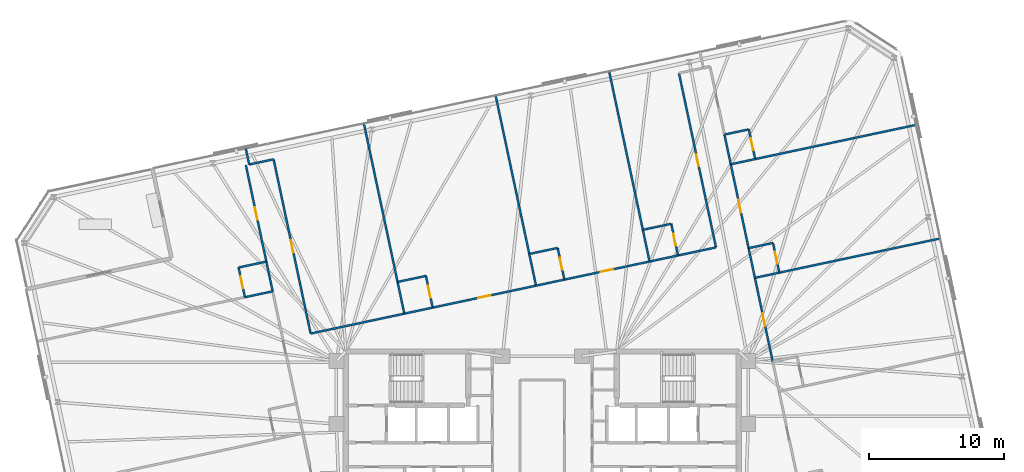
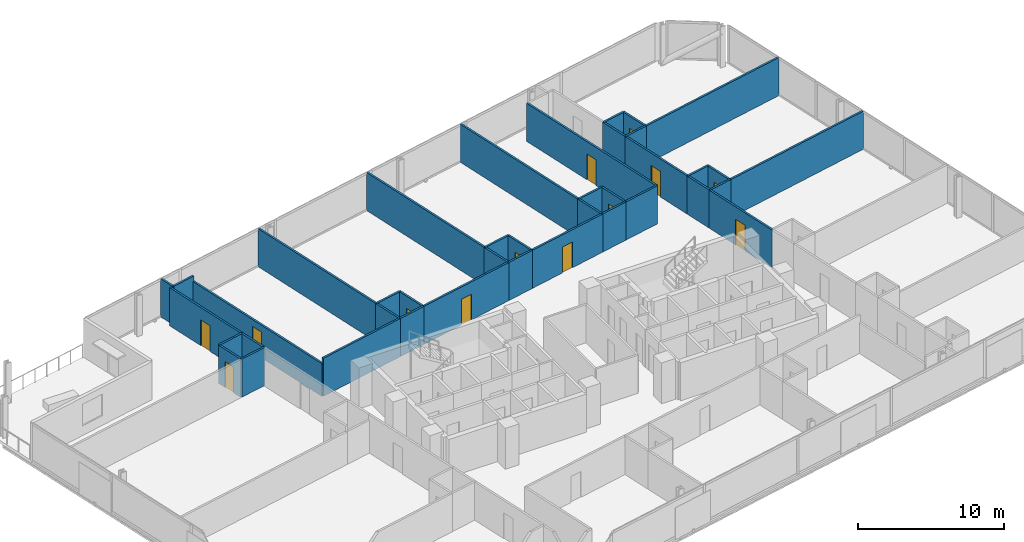
# One storey, part 17 of 20: 40 walls, 13 doors, 13 openings.
"""IFC4 building model written with IfcOpenShell, lengths in metres."""

from ifc_helpers import new_model, si_unit, direction, frame, frame_2d, origin, place, context, subcontext, project, spatial, rectangle, extrude, material, layer, layer_set, type_object, element, fill, save


model = new_model("IFC4")

# Units and contexts
model_context = context("Model", 3, precision=1e-05, world=origin(), true_north=direction((0.0, 1.0)))
body_context = subcontext(model_context, "Body", "Model", "MODEL_VIEW")
ifc_project = project(units=[si_unit("LENGTHUNIT", "METRE"), si_unit("AREAUNIT", "SQUARE_METRE"), si_unit("VOLUMEUNIT", "CUBIC_METRE"), si_unit("PLANEANGLEUNIT", "RADIAN"), si_unit("MASSUNIT", "GRAM", prefix="KILO")], contexts=[model_context])

# Site, building, storey
site_placement = place(None, origin())
site = spatial("IfcSite", under=ifc_project, at=site_placement, CompositionType="ELEMENT")
building_placement = place(site_placement, origin())
building = spatial("IfcBuilding", under=site, at=building_placement, Name="Menara Jurai Vektor", CompositionType="ELEMENT")
storey_placement = place(building_placement, frame((0.0, 0.0, 175.199951171875)))
storey = spatial("IfcBuildingStorey", under=building, at=storey_placement, Name="L45", CompositionType="ELEMENT", Elevation=175.199951171875)

# Walls
ifc_material_1 = material(Name="Gypsum Fireboard Partition", Category="gypsum")
ifc_layer_1 = layer(ifc_material_1, 0.14990234375)
ifc_layer_set_1 = layer_set([ifc_layer_1], Name="Gypsum Fireboard Partition")
wall_type_1 = type_object("IfcWallType", Name="INT-WALL-CORR-150", PredefinedType="PARTITIONING", material=ifc_layer_set_1)
wall_1_placement = place(storey_placement, frame((-21.71533203125, 19.447998046875, 0.0), z_axis=(0.0, 0.0, 1.0), x_axis=(0.978160192495, 0.207852442415, 0.0)))
element("IfcWall", 1, at=wall_1_placement, inside=storey, type_object=wall_type_1, Name="Interior Wall IW-150 L45", PredefinedType="PARTITIONING", context=body_context, shape_type="SweptSolid", body=[
    extrude(rectangle(XDim=1.849853515625, YDim=0.14990234375, at=frame_2d((0.9248046875, 0.0))), origin(), (0.0, 0.0, 1.0), 3.175048828125),
])
wall_2_placement = place(storey_placement, frame((-17.162353515625, 6.92578125, 0.0), z_axis=(0.0, 0.0, 1.0), x_axis=(0.978143627193, 0.207930383978, 0.0)))
element("IfcWall", 2, at=wall_2_placement, inside=storey, type_object=wall_type_1, Name="Interior Wall IW-150 L45", PredefinedType="PARTITIONING", context=body_context, shape_type="SweptSolid", body=[
    extrude(rectangle(XDim=7.093017578125, YDim=0.14990234375, at=frame_2d((3.54638671875, 0.0))), origin(), (0.0, 0.0, 1.0), 3.175048828125),
])

# Wall, opening, door
wall_3_placement = place(storey_placement, frame((-8.121337890625, 8.84765625, 0.0), z_axis=(0.0, 0.0, 1.0), x_axis=(0.978146318695, 0.207917722244, 0.0)))
wall_3 = element("IfcWall", 3, at=wall_3_placement, inside=storey, type_object=wall_type_1, Name="Interior Wall IW-150 L45", PredefinedType="PARTITIONING", context=body_context, shape_type="SweptSolid", body=[
    extrude(rectangle(XDim=7.82373046875, YDim=0.14990234375, at=frame_2d((3.911865234375, 0.0))), origin(), (0.0, 0.0, 1.0), 3.175048828125),
])
opening_1_placement = place(wall_3_placement, frame((3.451904296875, 0.0, 0.0)))
opening_1 = element("IfcOpeningElement", 4, at=opening_1_placement, cuts=wall_3, Name="Opening D45-10", PredefinedType="OPENING", context=body_context, shape_type="SweptSolid", body=[
    extrude(rectangle(XDim=0.919921875, YDim=2.14990234375, at=frame_2d((0.4599609375, 1.074951171875))), frame((0.0, 0.0849609375, 0.0), z_axis=(0.0, -1.0, 0.0), x_axis=(1.0, 0.0, 0.0)), (0.0, 0.0, 1.0), 0.169921875),
])
ifc_material_2 = material(Name="Solid Core Timber Fire Door", Category="wood")
door_type_1 = type_object("IfcDoorType", Name="DR-ENTRY-950", OperationType="NOTDEFINED", PredefinedType="DOOR", material=ifc_material_2)
door_1_placement = place(opening_1_placement, origin())
door_1 = element("IfcDoor", 5, at=door_1_placement, inside=storey, type_object=door_type_1, Name="Interior Door D45-10", OperationType="SINGLE_SWING_LEFT", OverallHeight=2.14990234375, OverallWidth=0.919921875, PredefinedType="DOOR", context=body_context, shape_type="SweptSolid", body=[
    extrude(rectangle(XDim=0.919921875, YDim=2.14990234375, at=frame_2d((0.4599609375, 1.074951171875))), frame((0.0, 0.02490234375, 0.0), z_axis=(0.0, -1.0, 0.0), x_axis=(1.0, 0.0, 0.0)), (0.0, 0.0, 1.0), 0.050048828125),
])
fill(opening_1, door_1)

# Wall
wall_4_placement = place(storey_placement, frame((-10.224365234375, 8.400634765625, 0.0), z_axis=(0.0, 0.0, 1.0), x_axis=(0.978146728319, 0.207915795165, 0.0)))
element("IfcWall", 6, at=wall_4_placement, inside=storey, type_object=wall_type_1, Name="Interior Wall IW-150 L45", PredefinedType="PARTITIONING", context=body_context, shape_type="SweptSolid", body=[
    extrude(rectangle(XDim=2.14990234375, YDim=0.14990234375, at=frame_2d((1.074951171875, 0.0))), origin(), (0.0, 0.0, 1.0), 3.175048828125),
])

# Wall, opening, door
wall_5_placement = place(storey_placement, frame((1.634521484375, 10.92138671875, 0.0), z_axis=(0.0, 0.0, 1.0), x_axis=(0.978147881284, 0.207910370927, 0.0)))
wall_5 = element("IfcWall", 7, at=wall_5_placement, inside=storey, type_object=wall_type_1, Name="Interior Wall IW-150 L45", PredefinedType="PARTITIONING", context=body_context, shape_type="SweptSolid", body=[
    extrude(rectangle(XDim=6.448974609375, YDim=0.14990234375, at=frame_2d((3.224609375, 0.0))), origin(), (0.0, 0.0, 1.0), 3.175048828125),
])
opening_2_placement = place(wall_5_placement, frame((2.764404296875, 0.0, 0.0)))
opening_2 = element("IfcOpeningElement", 8, at=opening_2_placement, cuts=wall_5, Name="Opening D45-12", PredefinedType="OPENING", context=body_context, shape_type="SweptSolid", body=[
    extrude(rectangle(XDim=0.919921875, YDim=2.14990234375, at=frame_2d((0.4599609375, 1.074951171875))), frame((0.0, 0.0849609375, 0.0), z_axis=(0.0, -1.0, 0.0), x_axis=(1.0, 0.0, 0.0)), (0.0, 0.0, 1.0), 0.169921875),
])
door_2_placement = place(opening_2_placement, origin())
door_2 = element("IfcDoor", 9, at=door_2_placement, inside=storey, type_object=door_type_1, Name="Interior Door D45-12", OperationType="SINGLE_SWING_LEFT", OverallHeight=2.14990234375, OverallWidth=0.919921875, PredefinedType="DOOR", context=body_context, shape_type="SweptSolid", body=[
    extrude(rectangle(XDim=0.919921875, YDim=2.14990234375, at=frame_2d((0.4599609375, 1.074951171875))), frame((0.0, 0.02490234375, 0.0), z_axis=(0.0, -1.0, 0.0), x_axis=(1.0, 0.0, 0.0)), (0.0, 0.0, 1.0), 0.050048828125),
])
fill(opening_2, door_2)

# Walls
wall_6_placement = place(storey_placement, frame((-0.468505859375, 10.474365234375, 0.0), z_axis=(0.0, 0.0, 1.0), x_axis=(0.978146728319, 0.207915795165, 0.0)))
element("IfcWall", 10, at=wall_6_placement, inside=storey, type_object=wall_type_1, Name="Interior Wall IW-150 L45", PredefinedType="PARTITIONING", context=body_context, shape_type="SweptSolid", body=[
    extrude(rectangle(XDim=2.14990234375, YDim=0.14990234375, at=frame_2d((1.074951171875, 0.0))), origin(), (0.0, 0.0, 1.0), 3.175048828125),
])
wall_7_placement = place(storey_placement, frame((10.045654296875, 12.709228515625, 0.0), z_axis=(0.0, 0.0, 1.0), x_axis=(0.97816208355, 0.207843542851, 0.0)))
element("IfcWall", 11, at=wall_7_placement, inside=storey, type_object=wall_type_1, Name="Interior Wall IW-150 L45", PredefinedType="PARTITIONING", context=body_context, shape_type="SweptSolid", body=[
    extrude(rectangle(XDim=2.879150390625, YDim=0.14990234375, at=frame_2d((1.439453125, 0.0))), origin(), (0.0, 0.0, 1.0), 3.175048828125),
])

# Wall, opening, door
wall_8_placement = place(storey_placement, frame((12.86181640625, 13.3076171875, 0.0), z_axis=(0.0, 0.0, 1.0), x_axis=(-0.207911421929, 0.978147657888, 0.0)))
wall_8 = element("IfcWall", 12, at=wall_8_placement, inside=storey, type_object=wall_type_1, Name="Interior Wall IW-150 L45", PredefinedType="PARTITIONING", context=body_context, shape_type="SweptSolid", body=[
    extrude(rectangle(XDim=13.195068359375, YDim=0.14990234375, at=frame_2d((6.59765625, 0.0))), origin(), (0.0, 0.0, 1.0), 3.175048828125),
])
opening_3_placement = place(wall_8_placement, frame((6.137451171875, 0.0, 0.0)))
opening_3 = element("IfcOpeningElement", 13, at=opening_3_placement, cuts=wall_8, Name="Opening D45-14", PredefinedType="OPENING", context=body_context, shape_type="SweptSolid", body=[
    extrude(rectangle(XDim=0.919921875, YDim=2.14990234375, at=frame_2d((0.4599609375, 1.074951171875))), frame((0.0, 0.0849609375, 0.0), z_axis=(0.0, -1.0, 0.0), x_axis=(1.0, 0.0, 0.0)), (0.0, 0.0, 1.0), 0.169921875),
])
door_3_placement = place(opening_3_placement, origin())
door_3 = element("IfcDoor", 14, at=door_3_placement, inside=storey, type_object=door_type_1, Name="Interior Door D45-14", OperationType="SINGLE_SWING_LEFT", OverallHeight=2.14990234375, OverallWidth=0.919921875, PredefinedType="DOOR", context=body_context, shape_type="SweptSolid", body=[
    extrude(rectangle(XDim=0.919921875, YDim=2.14990234375, at=frame_2d((0.4599609375, 1.074951171875))), frame((0.0, 0.02490234375, 0.0), z_axis=(0.0, -1.0, 0.0), x_axis=(1.0, 0.0, 0.0)), (0.0, 0.0, 1.0), 0.050048828125),
])
fill(opening_3, door_3)

# Wall
wall_9_placement = place(storey_placement, frame((7.942626953125, 12.26220703125, 0.0), z_axis=(0.0, 0.0, 1.0), x_axis=(0.978146728319, 0.207915795165, 0.0)))
element("IfcWall", 15, at=wall_9_placement, inside=storey, type_object=wall_type_1, Name="Interior Wall IW-150 L45", PredefinedType="PARTITIONING", context=body_context, shape_type="SweptSolid", body=[
    extrude(rectangle(XDim=2.14990234375, YDim=0.14990234375, at=frame_2d((1.074951171875, 0.0))), origin(), (0.0, 0.0, 1.0), 3.175048828125),
])

# Wall, opening, door
wall_10_placement = place(storey_placement, frame((-20.442138671875, 12.25537109375, 0.0), z_axis=(0.0, 0.0, 1.0), x_axis=(-0.207916352354, 0.978146609882, 0.0)))
wall_10 = element("IfcWall", 16, at=wall_10_placement, inside=storey, type_object=wall_type_1, Name="Interior Wall IW-150 L45", PredefinedType="PARTITIONING", context=body_context, shape_type="SweptSolid", body=[
    extrude(rectangle(XDim=7.300048828125, YDim=0.14990234375, at=frame_2d((3.64990234375, 0.0))), origin(), (0.0, 0.0, 1.0), 3.175048828125),
])
opening_4_placement = place(wall_10_placement, frame((3.175048828125, 0.0, 0.0)))
opening_4 = element("IfcOpeningElement", 17, at=opening_4_placement, cuts=wall_10, Name="Opening D45-27", PredefinedType="OPENING", context=body_context, shape_type="SweptSolid", body=[
    extrude(rectangle(XDim=0.949951171875, YDim=2.14990234375, at=frame_2d((0.47509765625, 1.074951171875))), frame((0.0, 0.0849609375, 0.0), z_axis=(0.0, -1.0, 0.0), x_axis=(1.0, 0.0, 0.0)), (0.0, 0.0, 1.0), 0.169921875),
])
door_4_placement = place(opening_4_placement, origin())
door_4 = element("IfcDoor", 18, at=door_4_placement, inside=storey, type_object=door_type_1, Name="Interior Door D45-27", OperationType="SINGLE_SWING_RIGHT", OverallHeight=2.14990234375, OverallWidth=0.949951171875, PredefinedType="DOOR", context=body_context, shape_type="SweptSolid", body=[
    extrude(rectangle(XDim=0.949951171875, YDim=2.14990234375, at=frame_2d((0.47509765625, 1.074951171875))), frame((0.0, 0.02490234375, 0.0), z_axis=(0.0, -1.0, 0.0), x_axis=(1.0, 0.0, 0.0)), (0.0, 0.0, 1.0), 0.050048828125),
])
fill(opening_4, door_4)

# Wall
wall_11_placement = place(storey_placement, frame((-19.974365234375, 10.0546875, 0.0), z_axis=(0.0, 0.0, 1.0), x_axis=(-0.207913264065, 0.978147266328, 0.0)))
element("IfcWall", 19, at=wall_11_placement, inside=storey, type_object=wall_type_1, Name="Interior Wall IW-150 L45", PredefinedType="PARTITIONING", context=body_context, shape_type="SweptSolid", body=[
    extrude(rectangle(XDim=2.249755859375, YDim=0.14990234375, at=frame_2d((1.125, 0.0))), origin(), (0.0, 0.0, 1.0), 3.175048828125),
])

# Wall, opening, door
wall_12_placement = place(storey_placement, frame((17.06396484375, 4.84130859375, 0.0), z_axis=(0.0, 0.0, 1.0), x_axis=(-0.207924511115, 0.978144875608, 0.0)))
wall_12 = element("IfcWall", 20, at=wall_12_placement, inside=storey, type_object=wall_type_1, Name="Interior Wall IW-150 L45", PredefinedType="PARTITIONING", context=body_context, shape_type="SweptSolid", body=[
    extrude(rectangle(XDim=6.349853515625, YDim=0.14990234375, at=frame_2d((3.1748046875, 0.0))), origin(), (0.0, 0.0, 1.0), 3.175048828125),
])
opening_5_placement = place(wall_12_placement, frame((2.699951171875, 0.0, 0.0)))
opening_5 = element("IfcOpeningElement", 21, at=opening_5_placement, cuts=wall_12, Name="Opening D45-33", PredefinedType="OPENING", context=body_context, shape_type="SweptSolid", body=[
    extrude(rectangle(XDim=0.949951171875, YDim=2.14990234375, at=frame_2d((0.47509765625, 1.074951171875))), frame((0.0, 0.0849609375, 0.0), z_axis=(0.0, -1.0, 0.0), x_axis=(1.0, 0.0, 0.0)), (0.0, 0.0, 1.0), 0.169921875),
])
door_5_placement = place(opening_5_placement, origin())
door_5 = element("IfcDoor", 22, at=door_5_placement, inside=storey, type_object=door_type_1, Name="Interior Door D45-33", OperationType="SINGLE_SWING_RIGHT", OverallHeight=2.14990234375, OverallWidth=0.949951171875, PredefinedType="DOOR", context=body_context, shape_type="SweptSolid", body=[
    extrude(rectangle(XDim=0.949951171875, YDim=2.14990234375, at=frame_2d((0.47509765625, 1.074951171875))), frame((0.0, 0.02490234375, 0.0), z_axis=(0.0, -1.0, 0.0), x_axis=(1.0, 0.0, 0.0)), (0.0, 0.0, 1.0), 0.050048828125),
])
fill(opening_5, door_5)

wall_13_placement = place(storey_placement, frame((15.27587890625, 13.25341796875, 0.0), z_axis=(0.0, 0.0, 1.0), x_axis=(-0.207924511115, 0.978144875608, 0.0)))
wall_13 = element("IfcWall", 23, at=wall_13_placement, inside=storey, type_object=wall_type_1, Name="Interior Wall IW-150 L45", PredefinedType="PARTITIONING", context=body_context, shape_type="SweptSolid", body=[
    extrude(rectangle(XDim=6.349853515625, YDim=0.14990234375, at=frame_2d((3.1748046875, 0.0))), origin(), (0.0, 0.0, 1.0), 3.175048828125),
])
opening_6_placement = place(wall_13_placement, frame((2.699951171875, 0.0, 0.0)))
opening_6 = element("IfcOpeningElement", 24, at=opening_6_placement, cuts=wall_13, Name="Opening D45-35", PredefinedType="OPENING", context=body_context, shape_type="SweptSolid", body=[
    extrude(rectangle(XDim=0.949951171875, YDim=2.14990234375, at=frame_2d((0.47509765625, 1.074951171875))), frame((0.0, 0.0849609375, 0.0), z_axis=(0.0, -1.0, 0.0), x_axis=(1.0, 0.0, 0.0)), (0.0, 0.0, 1.0), 0.169921875),
])
door_6_placement = place(opening_6_placement, origin())
door_6 = element("IfcDoor", 25, at=door_6_placement, inside=storey, type_object=door_type_1, Name="Interior Door D45-35", OperationType="SINGLE_SWING_RIGHT", OverallHeight=2.14990234375, OverallWidth=0.949951171875, PredefinedType="DOOR", context=body_context, shape_type="SweptSolid", body=[
    extrude(rectangle(XDim=0.949951171875, YDim=2.14990234375, at=frame_2d((0.47509765625, 1.074951171875))), frame((0.0, 0.02490234375, 0.0), z_axis=(0.0, -1.0, 0.0), x_axis=(1.0, 0.0, 0.0)), (0.0, 0.0, 1.0), 0.050048828125),
])
fill(opening_6, door_6)

# Walls
for number, where, z_axis, x_axis, name in (
    (26, (15.74365234375, 11.052490234375, 0.0), (0.0, 0.0, 1.0), (-0.207891197838, 0.978151956427, 0.0), "Interior Wall IW-150 L45"),
    (27, (13.95556640625, 19.464599609375, 0.0), (0.0, 0.0, 1.0), (-0.207891197838, 0.978151956427, 0.0), "Interior Wall IW-150 L45"),
):
    element("IfcWall", number, at=place(storey_placement, frame(where, z_axis=z_axis, x_axis=x_axis)), inside=storey, type_object=wall_type_1, Name=name, PredefinedType="PARTITIONING", context=body_context, shape_type="SweptSolid", body=[
        extrude(rectangle(XDim=2.25, YDim=0.14990234375, at=frame_2d((1.125, 0.0))), origin(), (0.0, 0.0, 1.0), 3.175048828125),
    ])
wall_14_placement = place(storey_placement, frame((-10.723388671875, 10.748291015625, 0.0), z_axis=(0.0, 0.0, 1.0), x_axis=(-0.207914988081, 0.978146899873, 0.0)))
element("IfcWall", 28, at=wall_14_placement, inside=storey, type_object=wall_type_1, Name="Interior Wall IW-150 L45", PredefinedType="PARTITIONING", context=body_context, shape_type="SweptSolid", body=[
    extrude(rectangle(XDim=11.994873046875, YDim=0.14990234375, at=frame_2d((5.99755859375, 0.0))), origin(), (0.0, 0.0, 1.0), 3.175048828125),
])
wall_15_placement = place(storey_placement, frame((-10.224365234375, 8.400634765625, 0.0), z_axis=(0.0, 0.0, 1.0), x_axis=(-0.207917150959, 0.978146440129, 0.0)))
element("IfcWall", 29, at=wall_15_placement, inside=storey, type_object=wall_type_1, Name="Interior Wall IW-150 L45", PredefinedType="PARTITIONING", context=body_context, shape_type="SweptSolid", body=[
    extrude(rectangle(XDim=2.400146484375, YDim=0.14990234375, at=frame_2d((1.2001953125, 0.0))), origin(), (0.0, 0.0, 1.0), 3.175048828125),
])
wall_16_placement = place(storey_placement, frame((-21.71533203125, 19.447998046875, 0.0), z_axis=(0.0, 0.0, 1.0), x_axis=(-0.20795853359, 0.978137642823, 0.0)))
element("IfcWall", 30, at=wall_16_placement, inside=storey, type_object=wall_type_1, Name="Interior Wall IW-150 L45", PredefinedType="PARTITIONING", context=body_context, shape_type="SweptSolid", body=[
    extrude(rectangle(XDim=1.19970703125, YDim=0.14990234375, at=frame_2d((0.599853515625, 0.0))), origin(), (0.0, 0.0, 1.0), 3.175048828125),
])
wall_17_placement = place(storey_placement, frame((-10.723388671875, 10.748291015625, 0.0), z_axis=(0.0, 0.0, 1.0), x_axis=(0.978146728319, 0.207915795165, 0.0)))
element("IfcWall", 31, at=wall_17_placement, inside=storey, type_object=wall_type_1, Name="Interior Wall IW-150 L45", PredefinedType="PARTITIONING", context=body_context, shape_type="SweptSolid", body=[
    extrude(rectangle(XDim=2.14990234375, YDim=0.14990234375, at=frame_2d((1.074951171875, 0.0))), origin(), (0.0, 0.0, 1.0), 3.175048828125),
])

# Wall, opening, door
wall_18_placement = place(storey_placement, frame((-8.121337890625, 8.84765625, 0.0), z_axis=(0.0, 0.0, 1.0), x_axis=(-0.207917150959, 0.978146440129, 0.0)))
wall_18 = element("IfcWall", 32, at=wall_18_placement, inside=storey, type_object=wall_type_1, Name="Interior Wall IW-150 L45", PredefinedType="PARTITIONING", context=body_context, shape_type="SweptSolid", body=[
    extrude(rectangle(XDim=2.400146484375, YDim=0.14990234375, at=frame_2d((1.2001953125, 0.0))), origin(), (0.0, 0.0, 1.0), 3.175048828125),
])
opening_7_placement = place(wall_18_placement, frame((0.760009765625, 0.0, 0.0)))
opening_7 = element("IfcOpeningElement", 33, at=opening_7_placement, cuts=wall_18, Name="Opening D45-11", PredefinedType="OPENING", context=body_context, shape_type="SweptSolid", body=[
    extrude(rectangle(XDim=0.8798828125, YDim=2.14990234375, at=frame_2d((0.43994140625, 1.074951171875))), frame((0.0, 0.0849609375, 0.0), z_axis=(0.0, -1.0, 0.0), x_axis=(1.0, 0.0, 0.0)), (0.0, 0.0, 1.0), 0.169921875),
])
ifc_material_3 = material(Name="Moisture-Resistant Timber Door", Category="wood")
door_type_2 = type_object("IfcDoorType", Name="DR-BATH-880", OperationType="NOTDEFINED", PredefinedType="DOOR", material=ifc_material_3)
door_7_placement = place(opening_7_placement, origin())
door_7 = element("IfcDoor", 34, at=door_7_placement, inside=storey, type_object=door_type_2, Name="Interior Door D45-11", OperationType="SINGLE_SWING_RIGHT", OverallHeight=2.14990234375, OverallWidth=0.8798828125, PredefinedType="DOOR", context=body_context, shape_type="SweptSolid", body=[
    extrude(rectangle(XDim=0.8798828125, YDim=2.14990234375, at=frame_2d((0.43994140625, 1.074951171875))), frame((0.0, 0.02490234375, 0.0), z_axis=(0.0, -1.0, 0.0), x_axis=(1.0, 0.0, 0.0)), (0.0, 0.0, 1.0), 0.050048828125),
])
fill(opening_7, door_7)

# Walls
wall_19_placement = place(storey_placement, frame((-0.96728515625, 12.822021484375, 0.0), z_axis=(0.0, 0.0, 1.0), x_axis=(-0.207914988081, 0.978146899873, 0.0)))
element("IfcWall", 35, at=wall_19_placement, inside=storey, type_object=wall_type_1, Name="Interior Wall IW-150 L45", PredefinedType="PARTITIONING", context=body_context, shape_type="SweptSolid", body=[
    extrude(rectangle(XDim=11.994873046875, YDim=0.14990234375, at=frame_2d((5.99755859375, 0.0))), origin(), (0.0, 0.0, 1.0), 3.175048828125),
])
wall_20_placement = place(storey_placement, frame((-0.468505859375, 10.474365234375, 0.0), z_axis=(0.0, 0.0, 1.0), x_axis=(-0.207819824493, 0.978167123015, 0.0)))
element("IfcWall", 36, at=wall_20_placement, inside=storey, type_object=wall_type_1, Name="Interior Wall IW-150 L45", PredefinedType="PARTITIONING", context=body_context, shape_type="SweptSolid", body=[
    extrude(rectangle(XDim=2.400146484375, YDim=0.14990234375, at=frame_2d((1.2001953125, 0.0))), origin(), (0.0, 0.0, 1.0), 3.175048828125),
])
wall_21_placement = place(storey_placement, frame((-0.96728515625, 12.822021484375, 0.0), z_axis=(0.0, 0.0, 1.0), x_axis=(0.978169816376, 0.207807146966, 0.0)))
element("IfcWall", 37, at=wall_21_placement, inside=storey, type_object=wall_type_1, Name="Interior Wall IW-150 L45", PredefinedType="PARTITIONING", context=body_context, shape_type="SweptSolid", body=[
    extrude(rectangle(XDim=2.14990234375, YDim=0.14990234375, at=frame_2d((1.074951171875, 0.0))), origin(), (0.0, 0.0, 1.0), 3.175048828125),
])

# Wall, opening, door
wall_22_placement = place(storey_placement, frame((1.634521484375, 10.92138671875, 0.0), z_axis=(0.0, 0.0, 1.0), x_axis=(-0.207840504985, 0.978162729042, 0.0)))
wall_22 = element("IfcWall", 38, at=wall_22_placement, inside=storey, type_object=wall_type_1, Name="Interior Wall IW-150 L45", PredefinedType="PARTITIONING", context=body_context, shape_type="SweptSolid", body=[
    extrude(rectangle(XDim=2.39990234375, YDim=0.14990234375, at=frame_2d((1.199951171875, 0.0))), origin(), (0.0, 0.0, 1.0), 3.175048828125),
])
opening_8_placement = place(wall_22_placement, frame((0.760009765625, 0.0, 0.0)))
opening_8 = element("IfcOpeningElement", 39, at=opening_8_placement, cuts=wall_22, Name="Opening D45-13", PredefinedType="OPENING", context=body_context, shape_type="SweptSolid", body=[
    extrude(rectangle(XDim=0.8798828125, YDim=2.14990234375, at=frame_2d((0.43994140625, 1.074951171875))), frame((0.0, 0.0849609375, 0.0), z_axis=(0.0, -1.0, 0.0), x_axis=(1.0, 0.0, 0.0)), (0.0, 0.0, 1.0), 0.169921875),
])
door_8_placement = place(opening_8_placement, origin())
door_8 = element("IfcDoor", 40, at=door_8_placement, inside=storey, type_object=door_type_2, Name="Interior Door D45-13", OperationType="SINGLE_SWING_RIGHT", OverallHeight=2.14990234375, OverallWidth=0.8798828125, PredefinedType="DOOR", context=body_context, shape_type="SweptSolid", body=[
    extrude(rectangle(XDim=0.8798828125, YDim=2.14990234375, at=frame_2d((0.43994140625, 1.074951171875))), frame((0.0, 0.02490234375, 0.0), z_axis=(0.0, -1.0, 0.0), x_axis=(1.0, 0.0, 0.0)), (0.0, 0.0, 1.0), 0.050048828125),
])
fill(opening_8, door_8)

# Walls
wall_23_placement = place(storey_placement, frame((7.443603515625, 14.609619140625, 0.0), z_axis=(0.0, 0.0, 1.0), x_axis=(-0.207910848762, 0.978147779718, 0.0)))
element("IfcWall", 41, at=wall_23_placement, inside=storey, type_object=wall_type_1, Name="Interior Wall IW-150 L45", PredefinedType="PARTITIONING", context=body_context, shape_type="SweptSolid", body=[
    extrude(rectangle(XDim=11.9951171875, YDim=0.14990234375, at=frame_2d((5.99755859375, 0.0))), origin(), (0.0, 0.0, 1.0), 3.175048828125),
])
wall_24_placement = place(storey_placement, frame((7.942626953125, 12.26220703125, 0.0), z_axis=(0.0, 0.0, 1.0), x_axis=(-0.207937840262, 0.978142042133, 0.0)))
element("IfcWall", 42, at=wall_24_placement, inside=storey, type_object=wall_type_1, Name="Interior Wall IW-150 L45", PredefinedType="PARTITIONING", context=body_context, shape_type="SweptSolid", body=[
    extrude(rectangle(XDim=2.39990234375, YDim=0.14990234375, at=frame_2d((1.199951171875, 0.0))), origin(), (0.0, 0.0, 1.0), 3.175048828125),
])
wall_25_placement = place(storey_placement, frame((7.443603515625, 14.609619140625, 0.0), z_axis=(0.0, 0.0, 1.0), x_axis=(0.978151636287, 0.207892704126, 0.0)))
element("IfcWall", 43, at=wall_25_placement, inside=storey, type_object=wall_type_1, Name="Interior Wall IW-150 L45", PredefinedType="PARTITIONING", context=body_context, shape_type="SweptSolid", body=[
    extrude(rectangle(XDim=2.150146484375, YDim=0.14990234375, at=frame_2d((1.0751953125, 0.0))), origin(), (0.0, 0.0, 1.0), 3.175048828125),
])

# Wall, opening, door
wall_26_placement = place(storey_placement, frame((10.045654296875, 12.709228515625, 0.0), z_axis=(0.0, 0.0, 1.0), x_axis=(-0.207840504985, 0.978162729042, 0.0)))
wall_26 = element("IfcWall", 44, at=wall_26_placement, inside=storey, type_object=wall_type_1, Name="Interior Wall IW-150 L45", PredefinedType="PARTITIONING", context=body_context, shape_type="SweptSolid", body=[
    extrude(rectangle(XDim=2.39990234375, YDim=0.14990234375, at=frame_2d((1.199951171875, 0.0))), origin(), (0.0, 0.0, 1.0), 3.175048828125),
])
opening_9_placement = place(wall_26_placement, frame((0.760009765625, 0.0, 0.0)))
opening_9 = element("IfcOpeningElement", 45, at=opening_9_placement, cuts=wall_26, Name="Opening D45-15", PredefinedType="OPENING", context=body_context, shape_type="SweptSolid", body=[
    extrude(rectangle(XDim=0.8798828125, YDim=2.14990234375, at=frame_2d((0.43994140625, 1.074951171875))), frame((0.0, 0.0849609375, 0.0), z_axis=(0.0, -1.0, 0.0), x_axis=(1.0, 0.0, 0.0)), (0.0, 0.0, 1.0), 0.169921875),
])
door_9_placement = place(opening_9_placement, origin())
door_9 = element("IfcDoor", 46, at=door_9_placement, inside=storey, type_object=door_type_2, Name="Interior Door D45-15", OperationType="SINGLE_SWING_RIGHT", OverallHeight=2.14990234375, OverallWidth=0.8798828125, PredefinedType="DOOR", context=body_context, shape_type="SweptSolid", body=[
    extrude(rectangle(XDim=0.8798828125, YDim=2.14990234375, at=frame_2d((0.43994140625, 1.074951171875))), frame((0.0, 0.02490234375, 0.0), z_axis=(0.0, -1.0, 0.0), x_axis=(1.0, 0.0, 0.0)), (0.0, 0.0, 1.0), 0.050048828125),
])
fill(opening_9, door_9)

# Wall
wall_27_placement = place(storey_placement, frame((-22.028564453125, 9.617919921875, 0.0), z_axis=(0.0, 0.0, 1.0), x_axis=(0.978134617382, 0.207972763311, 0.0)))
element("IfcWall", 47, at=wall_27_placement, inside=storey, type_object=wall_type_1, Name="Interior Wall IW-150 L45", PredefinedType="PARTITIONING", context=body_context, shape_type="SweptSolid", body=[
    extrude(rectangle(XDim=2.10009765625, YDim=0.14990234375, at=frame_2d((1.050048828125, 0.0))), origin(), (0.0, 0.0, 1.0), 3.175048828125),
])

# Wall, opening, door
wall_28_placement = place(storey_placement, frame((-22.028564453125, 9.617919921875, 0.0), z_axis=(0.0, 0.0, 1.0), x_axis=(-0.207891197838, 0.978151956427, 0.0)))
wall_28 = element("IfcWall", 48, at=wall_28_placement, inside=storey, type_object=wall_type_1, Name="Interior Wall IW-150 L45", PredefinedType="PARTITIONING", context=body_context, shape_type="SweptSolid", body=[
    extrude(rectangle(XDim=2.25, YDim=0.14990234375, at=frame_2d((1.125, 0.0))), origin(), (0.0, 0.0, 1.0), 3.175048828125),
])
opening_10_placement = place(wall_28_placement, frame((0.68505859375, 0.0, 0.0)))
opening_10 = element("IfcOpeningElement", 49, at=opening_10_placement, cuts=wall_28, Name="Opening D45-28", PredefinedType="OPENING", context=body_context, shape_type="SweptSolid", body=[
    extrude(rectangle(XDim=0.8798828125, YDim=2.14990234375, at=frame_2d((0.43994140625, 1.074951171875))), frame((0.0, 0.0849609375, 0.0), z_axis=(0.0, -1.0, 0.0), x_axis=(1.0, 0.0, 0.0)), (0.0, 0.0, 1.0), 0.169921875),
])
door_10_placement = place(opening_10_placement, origin())
door_10 = element("IfcDoor", 50, at=door_10_placement, inside=storey, type_object=door_type_2, Name="Interior Door D45-28", OperationType="SINGLE_SWING_LEFT", OverallHeight=2.14990234375, OverallWidth=0.8798828125, PredefinedType="DOOR", context=body_context, shape_type="SweptSolid", body=[
    extrude(rectangle(XDim=0.8798828125, YDim=2.14990234375, at=frame_2d((0.43994140625, 1.074951171875))), frame((0.0, 0.02490234375, 0.0), z_axis=(0.0, -1.0, 0.0), x_axis=(1.0, 0.0, 0.0)), (0.0, 0.0, 1.0), 0.050048828125),
])
fill(opening_10, door_10)

# Walls
wall_29_placement = place(storey_placement, frame((-22.496337890625, 11.81884765625, 0.0), z_axis=(0.0, 0.0, 1.0), x_axis=(0.97815826, 0.207861536591, 0.0)))
element("IfcWall", 51, at=wall_29_placement, inside=storey, type_object=wall_type_1, Name="Interior Wall IW-150 L45", PredefinedType="PARTITIONING", context=body_context, shape_type="SweptSolid", body=[
    extrude(rectangle(XDim=2.10009765625, YDim=0.14990234375, at=frame_2d((1.050048828125, 0.0))), origin(), (0.0, 0.0, 1.0), 3.175048828125),
])
wall_30_placement = place(storey_placement, frame((17.55322265625, 11.437255859375, 0.0), z_axis=(0.0, 0.0, 1.0), x_axis=(0.97814556055, 0.207921288896, 0.0)))
element("IfcWall", 52, at=wall_30_placement, inside=storey, type_object=wall_type_1, Name="Interior Wall IW-150 L45", PredefinedType="PARTITIONING", context=body_context, shape_type="SweptSolid", body=[
    extrude(rectangle(XDim=12.18701171875, YDim=0.14990234375, at=frame_2d((6.093505859375, 0.0))), origin(), (0.0, 0.0, 1.0), 3.175048828125),
])
for number, where, z_axis, x_axis, name in (
    (53, (15.74365234375, 11.052490234375, 0.0), (0.0, 0.0, 1.0), (0.978133353907, 0.20797870558, 0.0), "Interior Wall IW-150 L45"),
    (54, (15.27587890625, 13.25341796875, 0.0), (0.0, 0.0, 1.0), (0.978133353907, 0.20797870558, 0.0), "Interior Wall IW-150 L45"),
):
    element("IfcWall", number, at=place(storey_placement, frame(where, z_axis=z_axis, x_axis=x_axis)), inside=storey, type_object=wall_type_1, Name=name, PredefinedType="PARTITIONING", context=body_context, shape_type="SweptSolid", body=[
        extrude(rectangle(XDim=1.85009765625, YDim=0.14990234375, at=frame_2d((0.925048828125, 0.0))), origin(), (0.0, 0.0, 1.0), 3.175048828125),
    ])

# Wall, opening, door
wall_31_placement = place(storey_placement, frame((17.55322265625, 11.437255859375, 0.0), z_axis=(0.0, 0.0, 1.0), x_axis=(-0.207891197838, 0.978151956427, 0.0)))
wall_31 = element("IfcWall", 55, at=wall_31_placement, inside=storey, type_object=wall_type_1, Name="Interior Wall IW-150 L45", PredefinedType="PARTITIONING", context=body_context, shape_type="SweptSolid", body=[
    extrude(rectangle(XDim=2.25, YDim=0.14990234375, at=frame_2d((1.125, 0.0))), origin(), (0.0, 0.0, 1.0), 3.175048828125),
])
opening_11_placement = place(wall_31_placement, frame((0.68505859375, 0.0, 0.0)))
opening_11 = element("IfcOpeningElement", 56, at=opening_11_placement, cuts=wall_31, Name="Opening D45-36", PredefinedType="OPENING", context=body_context, shape_type="SweptSolid", body=[
    extrude(rectangle(XDim=0.8798828125, YDim=2.14990234375, at=frame_2d((0.43994140625, 1.074951171875))), frame((0.0, 0.0849609375, 0.0), z_axis=(0.0, -1.0, 0.0), x_axis=(1.0, 0.0, 0.0)), (0.0, 0.0, 1.0), 0.169921875),
])
door_11_placement = place(opening_11_placement, origin())
door_11 = element("IfcDoor", 57, at=door_11_placement, inside=storey, type_object=door_type_2, Name="Interior Door D45-36", OperationType="SINGLE_SWING_LEFT", OverallHeight=2.14990234375, OverallWidth=0.8798828125, PredefinedType="DOOR", context=body_context, shape_type="SweptSolid", body=[
    extrude(rectangle(XDim=0.8798828125, YDim=2.14990234375, at=frame_2d((0.43994140625, 1.074951171875))), frame((0.0, 0.02490234375, 0.0), z_axis=(0.0, -1.0, 0.0), x_axis=(1.0, 0.0, 0.0)), (0.0, 0.0, 1.0), 0.050048828125),
])
fill(opening_11, door_11)

# Walls
wall_32_placement = place(storey_placement, frame((15.76513671875, 19.849365234375, 0.0), z_axis=(0.0, 0.0, 1.0), x_axis=(0.978149634612, 0.207902121941, 0.0)))
element("IfcWall", 58, at=wall_32_placement, inside=storey, type_object=wall_type_1, Name="Interior Wall IW-150 L45", PredefinedType="PARTITIONING", context=body_context, shape_type="SweptSolid", body=[
    extrude(rectangle(XDim=12.18701171875, YDim=0.14990234375, at=frame_2d((6.093505859375, 0.0))), origin(), (0.0, 0.0, 1.0), 3.175048828125),
])
for number, where, z_axis, x_axis, name in (
    (59, (13.95556640625, 19.464599609375, 0.0), (0.0, 0.0, 1.0), (0.978133353907, 0.20797870558, 0.0), "Interior Wall IW-150 L45"),
    (60, (13.48779296875, 21.66552734375, 0.0), (0.0, 0.0, 1.0), (0.978133353907, 0.20797870558, 0.0), "Interior Wall IW-150 L45"),
):
    element("IfcWall", number, at=place(storey_placement, frame(where, z_axis=z_axis, x_axis=x_axis)), inside=storey, type_object=wall_type_1, Name=name, PredefinedType="PARTITIONING", context=body_context, shape_type="SweptSolid", body=[
        extrude(rectangle(XDim=1.85009765625, YDim=0.14990234375, at=frame_2d((0.925048828125, 0.0))), origin(), (0.0, 0.0, 1.0), 3.175048828125),
    ])

# Wall, opening, door
wall_33_placement = place(storey_placement, frame((15.76513671875, 19.849365234375, 0.0), z_axis=(0.0, 0.0, 1.0), x_axis=(-0.207891197838, 0.978151956427, 0.0)))
wall_33 = element("IfcWall", 61, at=wall_33_placement, inside=storey, type_object=wall_type_1, Name="Interior Wall IW-150 L45", PredefinedType="PARTITIONING", context=body_context, shape_type="SweptSolid", body=[
    extrude(rectangle(XDim=2.25, YDim=0.14990234375, at=frame_2d((1.125, 0.0))), origin(), (0.0, 0.0, 1.0), 3.175048828125),
])
opening_12_placement = place(wall_33_placement, frame((0.68505859375, 0.0, 0.0)))
opening_12 = element("IfcOpeningElement", 62, at=opening_12_placement, cuts=wall_33, Name="Opening D45-38", PredefinedType="OPENING", context=body_context, shape_type="SweptSolid", body=[
    extrude(rectangle(XDim=0.8798828125, YDim=2.14990234375, at=frame_2d((0.43994140625, 1.074951171875))), frame((0.0, 0.0849609375, 0.0), z_axis=(0.0, -1.0, 0.0), x_axis=(1.0, 0.0, 0.0)), (0.0, 0.0, 1.0), 0.169921875),
])
door_12_placement = place(opening_12_placement, origin())
door_12 = element("IfcDoor", 63, at=door_12_placement, inside=storey, type_object=door_type_2, Name="Interior Door D45-38", OperationType="SINGLE_SWING_LEFT", OverallHeight=2.14990234375, OverallWidth=0.8798828125, PredefinedType="DOOR", context=body_context, shape_type="SweptSolid", body=[
    extrude(rectangle(XDim=0.8798828125, YDim=2.14990234375, at=frame_2d((0.43994140625, 1.074951171875))), frame((0.0, 0.02490234375, 0.0), z_axis=(0.0, -1.0, 0.0), x_axis=(1.0, 0.0, 0.0)), (0.0, 0.0, 1.0), 0.050048828125),
])
fill(opening_12, door_12)

ifc_layer_2 = layer(ifc_material_1, 0.14990234375)
ifc_layer_set_2 = layer_set([ifc_layer_2], Name="Gypsum Fireboard Partition")
wall_type_2 = type_object("IfcWallType", Name="INT-WALL-CORR-150-H1", PredefinedType="PARTITIONING", material=ifc_layer_set_2)
wall_34_placement = place(storey_placement, frame((-17.162353515625, 6.92578125, 0.0), z_axis=(0.0, 0.0, 1.0), x_axis=(-0.207911421929, 0.978147657888, 0.0)))
wall_34 = element("IfcWall", 64, at=wall_34_placement, inside=storey, type_object=wall_type_2, Name="Interior Wall IW-150 L45", PredefinedType="PARTITIONING", context=body_context, shape_type="SweptSolid", body=[
    extrude(rectangle(XDim=13.195068359375, YDim=0.14990234375, at=frame_2d((6.59765625, 0.0))), origin(), (0.0, 0.0, 1.0), 2.72509765625),
])
opening_13_placement = place(wall_34_placement, frame((6.137451171875, 0.0, 0.0)))
opening_13 = element("IfcOpeningElement", 65, at=opening_13_placement, cuts=wall_34, Name="Opening D45-09", PredefinedType="OPENING", context=body_context, shape_type="SweptSolid", body=[
    extrude(rectangle(XDim=0.919921875, YDim=2.14990234375, at=frame_2d((0.4599609375, 1.074951171875))), frame((0.0, 0.0849609375, 0.0), z_axis=(0.0, -1.0, 0.0), x_axis=(1.0, 0.0, 0.0)), (0.0, 0.0, 1.0), 0.169921875),
])
door_13_placement = place(opening_13_placement, origin())
door_13 = element("IfcDoor", 66, at=door_13_placement, inside=storey, type_object=door_type_1, Name="Interior Door D45-09", OperationType="SINGLE_SWING_RIGHT", OverallHeight=2.14990234375, OverallWidth=0.919921875, PredefinedType="DOOR", context=body_context, shape_type="SweptSolid", body=[
    extrude(rectangle(XDim=0.919921875, YDim=2.14990234375, at=frame_2d((0.4599609375, 1.074951171875))), frame((0.0, 0.02490234375, 0.0), z_axis=(0.0, -1.0, 0.0), x_axis=(1.0, 0.0, 0.0)), (0.0, 0.0, 1.0), 0.050048828125),
])
fill(opening_13, door_13)

save(model, "model.ifc")
